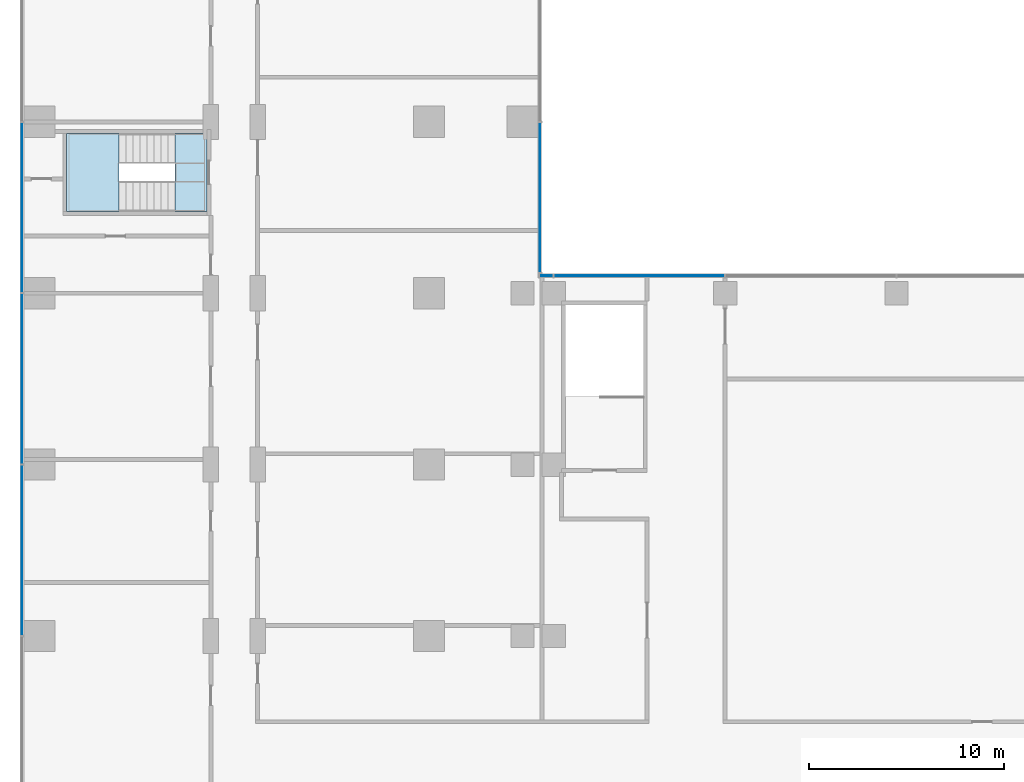
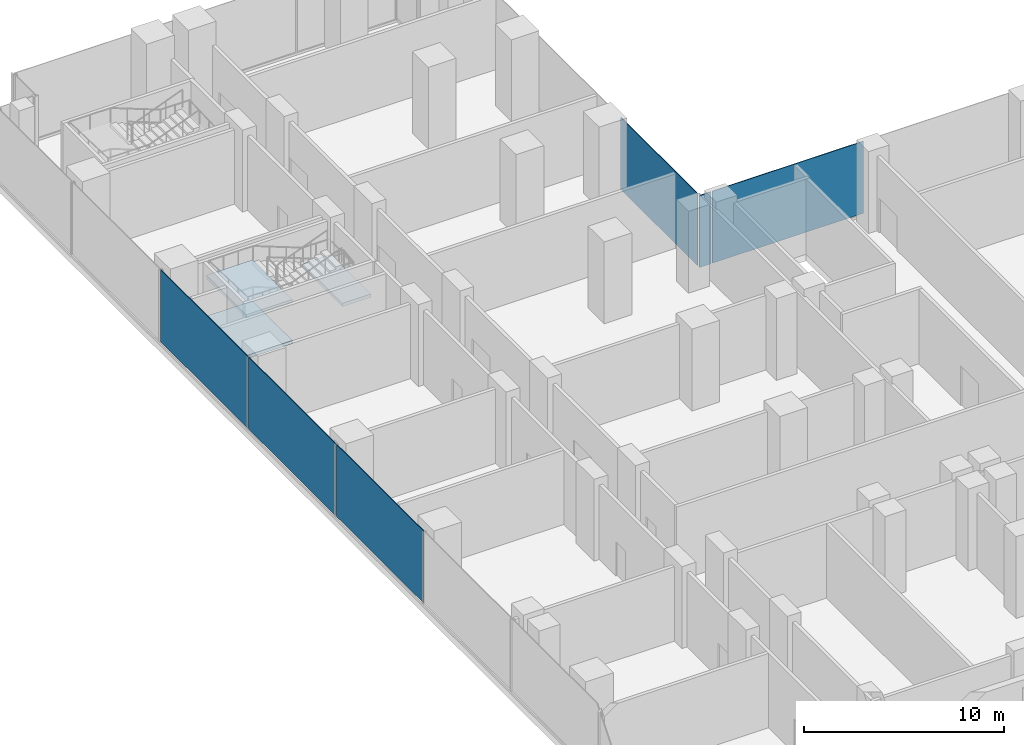
# One storey, part 14 of 27: 6 plates, 3 slabs, 4 elements without a shape of their own.
"""IFC4 building model written with IfcOpenShell, lengths in metres."""

from ifc_helpers import new_model, si_unit, direction, frame, origin, origin_2d, place, context, subcontext, project, spatial, polyline, rectangle, outline, extrude, source, transform, mapped, material, layer, layer_set, type_object, element, aggregate, save


model = new_model("IFC4")

# Units and contexts
model_context = context("Model", 3, precision=1e-05, world=origin(), true_north=direction((0.0, 1.0)))
body_context = subcontext(model_context, "Body", "Model", "MODEL_VIEW")
ifc_project = project(units=[si_unit("LENGTHUNIT", "METRE"), si_unit("AREAUNIT", "SQUARE_METRE"), si_unit("VOLUMEUNIT", "CUBIC_METRE"), si_unit("PLANEANGLEUNIT", "RADIAN"), si_unit("MASSUNIT", "GRAM", prefix="KILO")], contexts=[model_context])

# Site, building, storey
site_placement = place(None, origin())
site = spatial("IfcSite", under=ifc_project, at=site_placement, CompositionType="ELEMENT")
building_placement = place(site_placement, origin())
building = spatial("IfcBuilding", under=site, at=building_placement, Name="Kemantara Hotel Tower", CompositionType="ELEMENT")
storey_placement = place(building_placement, frame((0.0, 0.0, 29.0)))
storey = spatial("IfcBuildingStorey", under=building, at=storey_placement, Name="L05", CompositionType="ELEMENT", Elevation=29.0)

# Stair, slabs
ifc_material_1 = material(Name="Concrete fc 40 MPa", Category="concrete")
stair_type = type_object("IfcStairType", Name="Stair 1550 wide 36 risers of 139 x 360 mm", PredefinedType="HALF_TURN_STAIR", material=ifc_material_1)
stair_placement = place(storey_placement, origin())
stair = element("IfcStair", 1, at=stair_placement, inside=storey, type_object=stair_type, Name="L05 Exit stair ST4", PredefinedType="HALF_TURN_STAIR")
ifc_layer_1 = layer(ifc_material_1, 0.199951171875)
ifc_layer_set_1 = layer_set([ifc_layer_1], Name="Concrete fc 40 MPa")
slab_type = type_object("IfcSlabType", Name="Stair landing 200 mm", PredefinedType="LANDING", material=ifc_layer_set_1)
slab_1_placement = place(storey_placement, frame((0.0, 0.0, 1.050048828125)))
slab_1 = element("IfcSlab", 2, at=slab_1_placement, type_object=slab_type, Name="ST4 landing 1", PredefinedType="LANDING", context=body_context, shape_type="SweptSolid", body=[
    extrude(outline(polyline([(5.070068359375, 62.0), (2.39990234375, 62.0), (2.39990234375, 58.0), (5.070068359375, 58.0), (5.070068359375, 62.0)])), origin(), (0.0, 0.0, 1.0), 0.199951171875),
])
slab_2_placement = place(storey_placement, frame((0.0, 0.0, 2.300048828125)))
slab_2 = element("IfcSlab", 3, at=slab_2_placement, type_object=slab_type, Name="ST4 landing 2", PredefinedType="LANDING", context=body_context, shape_type="SweptSolid", body=[
    extrude(outline(polyline([(9.60009765625, 62.0), (7.949951171875, 62.0), (7.949951171875, 58.0), (9.60009765625, 58.0), (9.60009765625, 62.0)])), origin(), (0.0, 0.0, 1.0), 0.199951171875),
])
slab_3_placement = place(storey_placement, frame((0.0, 0.0, 3.550048828125)))
slab_3 = element("IfcSlab", 4, at=slab_3_placement, type_object=slab_type, Name="ST4 landing 3", PredefinedType="LANDING", context=body_context, shape_type="SweptSolid", body=[
    extrude(outline(polyline([(5.070068359375, 62.0), (2.39990234375, 62.0), (2.39990234375, 58.0), (5.070068359375, 58.0), (5.070068359375, 62.0)])), origin(), (0.0, 0.0, 1.0), 0.199951171875),
])
aggregate(stair, [slab_1, slab_2, slab_3])

# Curtain wall, plate
ifc_material_2 = material(Name="Laminated tinted insulated glass 44 mm", Category="glass")
curtain_wall_type = type_object("IfcCurtainWallType", Name="PODIUM GLASS CURTAIN WALL", PredefinedType="USERDEFINED", material=ifc_material_2)
curtain_wall_1_placement = place(storey_placement, origin())
curtain_wall_1 = element("IfcCurtainWall", 5, at=curtain_wall_1_placement, inside=storey, type_object=curtain_wall_type, Name="CW1 L05 POD-R09-1", ObjectType="PODIUM GLASS CURTAIN WALL", PredefinedType="USERDEFINED")
ifc_layer_2 = layer(ifc_material_2, 0.0439453125)
ifc_layer_set_2 = layer_set([ifc_layer_2], Name="Laminated tinted insulated glass 44 mm")
plate_type = type_object("IfcPlateType", Name="PODIUM GLASS CURTAIN WALL PANEL", PredefinedType="CURTAIN_PANEL", material=ifc_layer_set_2)
shared_shape_1 = source(origin(), body_context, "Body", "SweptSolid", [
    extrude(rectangle(XDim=8.72509765625, YDim=0.0439453125, at=origin_2d()), origin(), (0.0, 0.0, 1.0), 4.39990234375),
])
plate_1_placement = place(storey_placement, frame((31.800048828125, 54.699951171875, 0.150146484375), z_axis=(0.0, 0.0, 1.0), x_axis=(-1.0, 0.0, 0.0)))
plate_1 = element("IfcPlate", 6, at=plate_1_placement, type_object=plate_type, Name="CW1 glass panel POD-R09-1.5", PredefinedType="CURTAIN_PANEL", context=body_context, shape_type="MappedRepresentation", body=[
    mapped(shared_shape_1, transform((0.0, 0.0, 0.0))),
])

# Curtain wall, plates
curtain_wall_2_placement = place(storey_placement, origin())
curtain_wall_2 = element("IfcCurtainWall", 7, at=curtain_wall_2_placement, inside=storey, type_object=curtain_wall_type, Name="CW1 L05 POD-R16-1", ObjectType="PODIUM GLASS CURTAIN WALL", PredefinedType="USERDEFINED")
plate_2_placement = place(storey_placement, frame((0.10009765625, 58.199951171875, 0.150146484375), z_axis=(0.0, 0.0, 1.0), x_axis=(0.0, -1.0, 0.0)))
plate_2 = element("IfcPlate", 8, at=plate_2_placement, type_object=plate_type, Name="CW1 glass panel POD-R16-1.3", PredefinedType="CURTAIN_PANEL", context=body_context, shape_type="MappedRepresentation", body=[
    mapped(shared_shape_1, transform((0.0, 0.0, 0.0))),
])
plate_3_placement = place(storey_placement, frame((0.10009765625, 49.39990234375, 0.150146484375), z_axis=(0.0, 0.0, 1.0), x_axis=(0.0, -1.0, 0.0)))
plate_3 = element("IfcPlate", 9, at=plate_3_placement, type_object=plate_type, Name="CW1 glass panel POD-R16-1.4", PredefinedType="CURTAIN_PANEL", context=body_context, shape_type="MappedRepresentation", body=[
    mapped(shared_shape_1, transform((0.0, 0.0, 0.0))),
])
plate_4_placement = place(storey_placement, frame((0.10009765625, 40.60009765625, 0.150146484375), z_axis=(0.0, 0.0, 1.0), x_axis=(0.0, -1.0, 0.0)))
plate_4 = element("IfcPlate", 10, at=plate_4_placement, type_object=plate_type, Name="CW1 glass panel POD-R16-1.5", PredefinedType="CURTAIN_PANEL", context=body_context, shape_type="MappedRepresentation", body=[
    mapped(shared_shape_1, transform((0.0, 0.0, 0.0))),
])
aggregate(curtain_wall_2, [plate_2, plate_3, plate_4])

# Plate
shared_shape_2 = source(origin(), body_context, "Body", "SweptSolid", [
    extrude(rectangle(XDim=0.6875, YDim=0.0439453125, at=origin_2d()), origin(), (0.0, 0.0, 1.0), 4.39990234375),
])
plate_5_placement = place(storey_placement, frame((27.018798828125, 54.699951171875, 0.150146484375), z_axis=(0.0, 0.0, 1.0), x_axis=(-1.0, 0.0, 0.0)))
plate_5 = element("IfcPlate", 11, at=plate_5_placement, type_object=plate_type, Name="CW1 glass panel POD-R09-1.6", PredefinedType="CURTAIN_PANEL", context=body_context, shape_type="MappedRepresentation", body=[
    mapped(shared_shape_2, transform((0.0, 0.0, 0.0))),
])

aggregate(curtain_wall_1, [plate_1, plate_5])

# Curtain wall, plate
curtain_wall_3_placement = place(storey_placement, origin())
curtain_wall_3 = element("IfcCurtainWall", 12, at=curtain_wall_3_placement, inside=storey, type_object=curtain_wall_type, Name="CW1 L05 POD-R10-1", ObjectType="PODIUM GLASS CURTAIN WALL", PredefinedType="USERDEFINED")
shared_shape_3 = source(origin(), body_context, "Body", "SweptSolid", [
    extrude(rectangle(XDim=7.6875, YDim=0.0439453125, at=origin_2d()), origin(), (0.0, 0.0, 1.0), 4.39990234375),
])
plate_6_placement = place(storey_placement, frame((26.699951171875, 58.71875, 0.150146484375), z_axis=(0.0, 0.0, 1.0), x_axis=(0.0, 1.0, 0.0)))
plate_6 = element("IfcPlate", 13, at=plate_6_placement, type_object=plate_type, Name="CW1 glass panel POD-R10-1.1", PredefinedType="CURTAIN_PANEL", context=body_context, shape_type="MappedRepresentation", body=[
    mapped(shared_shape_3, transform((0.0, 0.0, 0.0))),
])
aggregate(curtain_wall_3, [plate_6])

save(model, "model.ifc")
